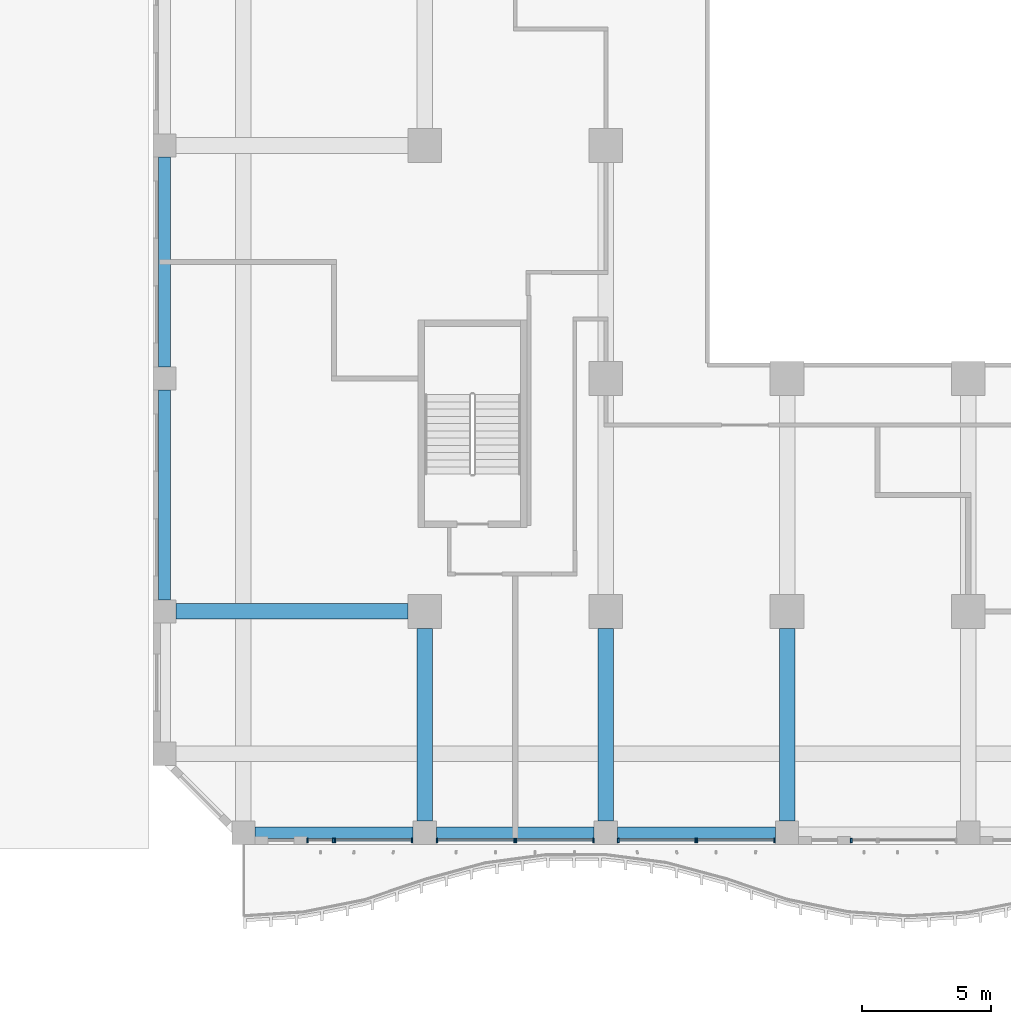
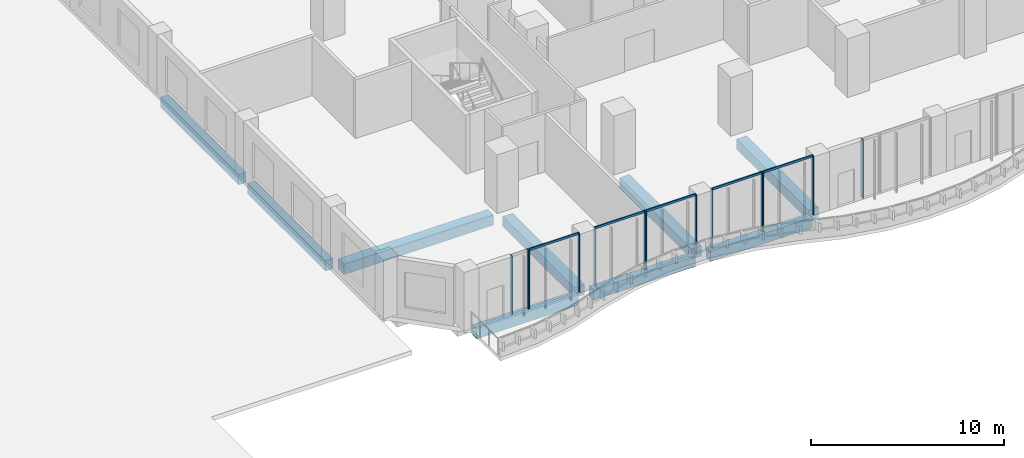
# One storey, part 2 of 29: 18 members, 9 beams, 7 elements without a shape of their own.
"""IFC4 building model written with IfcOpenShell, lengths in metres."""

from ifc_helpers import new_model, si_unit, direction, frame, origin, origin_2d, place, context, subcontext, project, spatial, rectangle, extrude, source, transform, mapped, material, material_profile, profile_set, type_object, element, aggregate, save


model = new_model("IFC4")

# Units and contexts
model_context = context("Model", 3, precision=1e-05, world=origin(), true_north=direction((0.0, 1.0)))
body_context = subcontext(model_context, "Body", "Model", "MODEL_VIEW")
ifc_project = project(units=[si_unit("LENGTHUNIT", "METRE"), si_unit("AREAUNIT", "SQUARE_METRE"), si_unit("VOLUMEUNIT", "CUBIC_METRE"), si_unit("PLANEANGLEUNIT", "RADIAN"), si_unit("MASSUNIT", "GRAM", prefix="KILO")], contexts=[model_context])

# Site, building, storey
site_placement = place(None, origin())
site = spatial("IfcSite", under=ifc_project, at=site_placement, CompositionType="ELEMENT")
building_placement = place(site_placement, origin())
building = spatial("IfcBuilding", under=site, at=building_placement, Name="Kilnfold Tower and Market Hall", CompositionType="ELEMENT")
storey_placement = place(building_placement, frame((0.0, 0.0, 27.0)))
storey = spatial("IfcBuildingStorey", under=building, at=storey_placement, Name="L05", CompositionType="ELEMENT", Elevation=27.0)

# Beams
ifc_material_1 = material(Name="Concrete C45", Category="concrete")
ifc_material_profile_1 = material_profile(ifc_material_1, rectangle(XDim=0.449951171875, YDim=0.64990234375, at=origin_2d()), Name="RC 450x650")
ifc_profile_set_1 = profile_set([ifc_material_profile_1], Name="Concrete C45")
beam_type_1 = type_object("IfcBeamType", Name="EDGE BEAM 450X650 C45", PredefinedType="BEAM", material=ifc_profile_set_1)
shared_shape_1 = source(origin(), body_context, "Body", "SweptSolid", [
    extrude(rectangle(XDim=0.449951171875, YDim=0.64990234375, at=origin_2d()), origin(), (0.0, 0.0, 1.0), 6.10009765625),
])
for number, where, z_axis, x_axis, name in (
    (1, (-24.050048828125, -27.550048828125, -0.60498046875), (1.0, 0.0, 0.0), (0.0, 1.0, 0.0), "Beam EB650-B1.1"),
    (2, (-17.050048828125, -27.550048828125, -0.60498046875), (1.0, 0.0, 0.0), (0.0, 1.0, 0.0), "Beam EB650-B1.54"),
    (3, (-10.050048828125, -27.550048828125, -0.60498046875), (1.0, 0.0, 0.0), (0.0, 1.0, 0.0), "Beam EB650-B1.2"),
):
    element("IfcBeam", number, at=place(storey_placement, frame(where, z_axis=z_axis, x_axis=x_axis)), inside=storey, type_object=beam_type_1, Name=name, PredefinedType="BEAM", context=body_context, shape_type="MappedRepresentation", body=[
        mapped(shared_shape_1, transform((0.0, 0.0, 0.0))),
    ])
ifc_material_2 = material(Name="Concrete C45", Category="concrete")
ifc_material_profile_2 = material_profile(ifc_material_2, rectangle(XDim=0.60009765625, YDim=0.64990234375, at=origin_2d()), Name="RC 600x650")
ifc_profile_set_2 = profile_set([ifc_material_profile_2], Name="Concrete C45")
beam_type_2 = type_object("IfcBeamType", Name="BEAM 600X650 C45", PredefinedType="BEAM", material=ifc_profile_set_2)
shared_shape_2 = source(origin(), body_context, "Body", "SweptSolid", [
    extrude(rectangle(XDim=0.60009765625, YDim=0.64990234375, at=origin_2d()), origin(), (0.0, 0.0, 1.0), 8.9501953125),
])
beam_placement = place(storey_placement, frame((-27.10009765625, -19.0, -0.60498046875), z_axis=(1.0, 0.0, 0.0), x_axis=(0.0, 1.0, 0.0)))
element("IfcBeam", 4, at=beam_placement, inside=storey, type_object=beam_type_2, Name="Beam BB650-B1.7", PredefinedType="BEAM", context=body_context, shape_type="MappedRepresentation", body=[
    mapped(shared_shape_2, transform((0.0, 0.0, 0.0))),
])
shared_shape_3 = source(origin(), body_context, "Body", "SweptSolid", [
    extrude(rectangle(XDim=0.449951171875, YDim=0.64990234375, at=origin_2d()), origin(), (0.0, 0.0, 1.0), 8.10009765625),
])
for number, where, z_axis, x_axis, name in (
    (5, (-27.550048828125, -18.550048828125, -0.60498046875), (0.0, 1.0, 0.0), (-1.0, 0.0, 0.0), "Beam EB650-B1.31"),
    (6, (-27.550048828125, -9.550048828125, -0.60498046875), (0.0, 1.0, 0.0), (-1.0, 0.0, 0.0), "Beam EB650-B1.32"),
):
    element("IfcBeam", number, at=place(storey_placement, frame(where, z_axis=z_axis, x_axis=x_axis)), inside=storey, type_object=beam_type_1, Name=name, PredefinedType="BEAM", context=body_context, shape_type="MappedRepresentation", body=[
        mapped(shared_shape_3, transform((0.0, 0.0, 0.0))),
    ])
shared_shape_4 = source(origin(), body_context, "Body", "SweptSolid", [
    extrude(rectangle(XDim=0.60009765625, YDim=0.64990234375, at=origin_2d()), origin(), (0.0, 0.0, 1.0), 7.4501953125),
])
for number, where, z_axis, x_axis, name in (
    (7, (-17.5, -27.10009765625, -0.60498046875), (0.0, 1.0, 0.0), (-1.0, 0.0, 0.0), "Beam BB650-B1.36"),
    (8, (-10.5, -27.10009765625, -0.60498046875), (0.0, 1.0, 0.0), (-1.0, 0.0, 0.0), "Beam BB650-B1.40"),
    (9, (-3.5, -27.10009765625, -0.60498046875), (0.0, 1.0, 0.0), (-1.0, 0.0, 0.0), "Beam BB650-B1.43"),
):
    element("IfcBeam", number, at=place(storey_placement, frame(where, z_axis=z_axis, x_axis=x_axis)), inside=storey, type_object=beam_type_2, Name=name, PredefinedType="BEAM", context=body_context, shape_type="MappedRepresentation", body=[
        mapped(shared_shape_4, transform((0.0, 0.0, 0.0))),
    ])

# Curtain wall, members
ifc_material_3 = material(Name="Aluminium and double glazing", Category="aluminium")
curtain_wall_type = type_object("IfcCurtainWallType", Name="CW OF1 VALLEY GLAZING", PredefinedType="NOTDEFINED", material=ifc_material_3)
curtain_wall_1_placement = place(storey_placement, origin())
curtain_wall_1 = element("IfcCurtainWall", 10, at=curtain_wall_1_placement, inside=storey, type_object=curtain_wall_type, Name="Curtain wall CW1 L05 S", PredefinedType="NOTDEFINED")
ifc_material_4 = material(Name="Aluminium", Category="aluminium")
ifc_material_profile_3 = material_profile(ifc_material_4, rectangle(XDim=0.06005859375, YDim=0.179931640625, at=origin_2d()), Name="MULLION 60x180")
ifc_profile_set_3 = profile_set([ifc_material_profile_3], Name="Aluminium")
member_type_1 = type_object("IfcMemberType", Name="MULLION 60X180", PredefinedType="MULLION", material=ifc_profile_set_3)
shared_shape_5 = source(origin(), body_context, "Body", "SweptSolid", [
    extrude(rectangle(XDim=0.06005859375, YDim=0.179931640625, at=origin_2d()), origin(), (0.0, 0.0, 1.0), 3.719970703125),
])
member_1_placement = place(storey_placement, frame((-22.02001953125, -27.85009765625, 0.0), z_axis=(0.0, 0.0, 1.0), x_axis=(1.0, 0.0, 0.0)))
member_1 = element("IfcMember", 11, at=member_1_placement, type_object=member_type_1, Name="CW1 mullion 1", PredefinedType="MULLION", context=body_context, shape_type="MappedRepresentation", body=[
    mapped(shared_shape_5, transform((0.0, 0.0, 0.0))),
])
member_2_placement = place(storey_placement, frame((-21.030029296875, -27.85009765625, 0.0), z_axis=(0.0, 0.0, 1.0), x_axis=(1.0, 0.0, 0.0)))
member_2 = element("IfcMember", 12, at=member_2_placement, type_object=member_type_1, Name="CW1 mullion 2", PredefinedType="MULLION", context=body_context, shape_type="MappedRepresentation", body=[
    mapped(shared_shape_5, transform((0.0, 0.0, 0.0))),
])
aggregate(curtain_wall_1, [member_1, member_2])

curtain_wall_2_placement = place(storey_placement, origin())
curtain_wall_2 = element("IfcCurtainWall", 13, at=curtain_wall_2_placement, inside=storey, type_object=curtain_wall_type, Name="Curtain wall CW1 L05 S", PredefinedType="NOTDEFINED")
member_3_placement = place(storey_placement, frame((-20.969970703125, -27.85009765625, 0.0), z_axis=(0.0, 0.0, 1.0), x_axis=(1.0, 0.0, 0.0)))
member_3 = element("IfcMember", 14, at=member_3_placement, type_object=member_type_1, Name="CW1 mullion 1", PredefinedType="MULLION", context=body_context, shape_type="MappedRepresentation", body=[
    mapped(shared_shape_5, transform((0.0, 0.0, 0.0))),
])
member_4_placement = place(storey_placement, frame((-17.97998046875, -27.85009765625, 0.0), z_axis=(0.0, 0.0, 1.0), x_axis=(1.0, 0.0, 0.0)))
member_4 = element("IfcMember", 15, at=member_4_placement, type_object=member_type_1, Name="CW1 mullion 2", PredefinedType="MULLION", context=body_context, shape_type="MappedRepresentation", body=[
    mapped(shared_shape_5, transform((0.0, 0.0, 0.0))),
])

curtain_wall_3_placement = place(storey_placement, origin())
curtain_wall_3 = element("IfcCurtainWall", 16, at=curtain_wall_3_placement, inside=storey, type_object=curtain_wall_type, Name="Curtain wall CW1 L05 S", PredefinedType="NOTDEFINED")
member_5_placement = place(storey_placement, frame((-17.02001953125, -27.85009765625, 0.0), z_axis=(0.0, 0.0, 1.0), x_axis=(1.0, 0.0, 0.0)))
member_5 = element("IfcMember", 17, at=member_5_placement, type_object=member_type_1, Name="CW1 mullion 1", PredefinedType="MULLION", context=body_context, shape_type="MappedRepresentation", body=[
    mapped(shared_shape_5, transform((0.0, 0.0, 0.0))),
])
member_6_placement = place(storey_placement, frame((-14.030029296875, -27.85009765625, 0.0), z_axis=(0.0, 0.0, 1.0), x_axis=(1.0, 0.0, 0.0)))
member_6 = element("IfcMember", 18, at=member_6_placement, type_object=member_type_1, Name="CW1 mullion 2", PredefinedType="MULLION", context=body_context, shape_type="MappedRepresentation", body=[
    mapped(shared_shape_5, transform((0.0, 0.0, 0.0))),
])

curtain_wall_4_placement = place(storey_placement, origin())
curtain_wall_4 = element("IfcCurtainWall", 19, at=curtain_wall_4_placement, inside=storey, type_object=curtain_wall_type, Name="Curtain wall CW1 L05 S", PredefinedType="NOTDEFINED")
member_7_placement = place(storey_placement, frame((-13.969970703125, -27.85009765625, 0.0), z_axis=(0.0, 0.0, 1.0), x_axis=(1.0, 0.0, 0.0)))
member_7 = element("IfcMember", 20, at=member_7_placement, type_object=member_type_1, Name="CW1 mullion 1", PredefinedType="MULLION", context=body_context, shape_type="MappedRepresentation", body=[
    mapped(shared_shape_5, transform((0.0, 0.0, 0.0))),
])
member_8_placement = place(storey_placement, frame((-10.97998046875, -27.85009765625, 0.0), z_axis=(0.0, 0.0, 1.0), x_axis=(1.0, 0.0, 0.0)))
member_8 = element("IfcMember", 21, at=member_8_placement, type_object=member_type_1, Name="CW1 mullion 2", PredefinedType="MULLION", context=body_context, shape_type="MappedRepresentation", body=[
    mapped(shared_shape_5, transform((0.0, 0.0, 0.0))),
])

curtain_wall_5_placement = place(storey_placement, origin())
curtain_wall_5 = element("IfcCurtainWall", 22, at=curtain_wall_5_placement, inside=storey, type_object=curtain_wall_type, Name="Curtain wall CW1 L05 S", PredefinedType="NOTDEFINED")
member_9_placement = place(storey_placement, frame((-10.02001953125, -27.85009765625, 0.0), z_axis=(0.0, 0.0, 1.0), x_axis=(1.0, 0.0, 0.0)))
member_9 = element("IfcMember", 23, at=member_9_placement, type_object=member_type_1, Name="CW1 mullion 1", PredefinedType="MULLION", context=body_context, shape_type="MappedRepresentation", body=[
    mapped(shared_shape_5, transform((0.0, 0.0, 0.0))),
])
member_10_placement = place(storey_placement, frame((-7.030029296875, -27.85009765625, 0.0), z_axis=(0.0, 0.0, 1.0), x_axis=(1.0, 0.0, 0.0)))
member_10 = element("IfcMember", 24, at=member_10_placement, type_object=member_type_1, Name="CW1 mullion 2", PredefinedType="MULLION", context=body_context, shape_type="MappedRepresentation", body=[
    mapped(shared_shape_5, transform((0.0, 0.0, 0.0))),
])

curtain_wall_6_placement = place(storey_placement, origin())
curtain_wall_6 = element("IfcCurtainWall", 25, at=curtain_wall_6_placement, inside=storey, type_object=curtain_wall_type, Name="Curtain wall CW1 L05 S", PredefinedType="NOTDEFINED")
member_11_placement = place(storey_placement, frame((-6.969970703125, -27.85009765625, 0.0), z_axis=(0.0, 0.0, 1.0), x_axis=(1.0, 0.0, 0.0)))
member_11 = element("IfcMember", 26, at=member_11_placement, type_object=member_type_1, Name="CW1 mullion 1", PredefinedType="MULLION", context=body_context, shape_type="MappedRepresentation", body=[
    mapped(shared_shape_5, transform((0.0, 0.0, 0.0))),
])
member_12_placement = place(storey_placement, frame((-3.97998046875, -27.85009765625, 0.0), z_axis=(0.0, 0.0, 1.0), x_axis=(1.0, 0.0, 0.0)))
member_12 = element("IfcMember", 27, at=member_12_placement, type_object=member_type_1, Name="CW1 mullion 2", PredefinedType="MULLION", context=body_context, shape_type="MappedRepresentation", body=[
    mapped(shared_shape_5, transform((0.0, 0.0, 0.0))),
])

# Curtain wall, member
curtain_wall_7_placement = place(storey_placement, origin())
curtain_wall_7 = element("IfcCurtainWall", 28, at=curtain_wall_7_placement, inside=storey, type_object=curtain_wall_type, Name="Curtain wall CW1 L05 S", PredefinedType="NOTDEFINED")
member_13_placement = place(storey_placement, frame((-1.02001953125, -27.85009765625, 0.0), z_axis=(0.0, 0.0, 1.0), x_axis=(1.0, 0.0, 0.0)))
member_13 = element("IfcMember", 29, at=member_13_placement, type_object=member_type_1, Name="CW1 mullion 1", PredefinedType="MULLION", context=body_context, shape_type="MappedRepresentation", body=[
    mapped(shared_shape_5, transform((0.0, 0.0, 0.0))),
])
aggregate(curtain_wall_7, [member_13])

# Member
ifc_material_5 = material(Name="Aluminium", Category="aluminium")
ifc_material_profile_4 = material_profile(ifc_material_5, rectangle(XDim=0.06005859375, YDim=0.139892578125, at=origin_2d()), Name="TRANSOM 60x140")
ifc_profile_set_4 = profile_set([ifc_material_profile_4], Name="Aluminium")
member_type_2 = type_object("IfcMemberType", Name="TRANSOM 60X140", PredefinedType="USERDEFINED", material=ifc_profile_set_4)
shared_shape_6 = source(origin(), body_context, "Body", "SweptSolid", [
    extrude(rectangle(XDim=0.06005859375, YDim=0.139892578125, at=origin_2d()), origin(), (0.0, 0.0, 1.0), 2.929931640625),
])
member_14_placement = place(storey_placement, frame((-20.93994140625, -27.85009765625, 3.68994140625), z_axis=(1.0, 0.0, 0.0), x_axis=(0.0, 1.0, 0.0)))
member_14 = element("IfcMember", 30, at=member_14_placement, type_object=member_type_2, Name="CW1 transom 1.2", ObjectType="TRANSOM", PredefinedType="USERDEFINED", context=body_context, shape_type="MappedRepresentation", body=[
    mapped(shared_shape_6, transform((0.0, 0.0, 0.0))),
])

aggregate(curtain_wall_2, [member_3, member_4, member_14])

member_15_placement = place(storey_placement, frame((-16.989990234375, -27.85009765625, 3.68994140625), z_axis=(1.0, 0.0, 0.0), x_axis=(0.0, 1.0, 0.0)))
member_15 = element("IfcMember", 31, at=member_15_placement, type_object=member_type_2, Name="CW1 transom 1.2", ObjectType="TRANSOM", PredefinedType="USERDEFINED", context=body_context, shape_type="MappedRepresentation", body=[
    mapped(shared_shape_6, transform((0.0, 0.0, 0.0))),
])

aggregate(curtain_wall_3, [member_5, member_6, member_15])

member_16_placement = place(storey_placement, frame((-13.93994140625, -27.85009765625, 3.68994140625), z_axis=(1.0, 0.0, 0.0), x_axis=(0.0, 1.0, 0.0)))
member_16 = element("IfcMember", 32, at=member_16_placement, type_object=member_type_2, Name="CW1 transom 1.2", ObjectType="TRANSOM", PredefinedType="USERDEFINED", context=body_context, shape_type="MappedRepresentation", body=[
    mapped(shared_shape_6, transform((0.0, 0.0, 0.0))),
])

aggregate(curtain_wall_4, [member_7, member_8, member_16])

member_17_placement = place(storey_placement, frame((-9.989990234375, -27.85009765625, 3.68994140625), z_axis=(1.0, 0.0, 0.0), x_axis=(0.0, 1.0, 0.0)))
member_17 = element("IfcMember", 33, at=member_17_placement, type_object=member_type_2, Name="CW1 transom 1.2", ObjectType="TRANSOM", PredefinedType="USERDEFINED", context=body_context, shape_type="MappedRepresentation", body=[
    mapped(shared_shape_6, transform((0.0, 0.0, 0.0))),
])

aggregate(curtain_wall_5, [member_9, member_10, member_17])

member_18_placement = place(storey_placement, frame((-6.93994140625, -27.85009765625, 3.68994140625), z_axis=(1.0, 0.0, 0.0), x_axis=(0.0, 1.0, 0.0)))
member_18 = element("IfcMember", 34, at=member_18_placement, type_object=member_type_2, Name="CW1 transom 1.2", ObjectType="TRANSOM", PredefinedType="USERDEFINED", context=body_context, shape_type="MappedRepresentation", body=[
    mapped(shared_shape_6, transform((0.0, 0.0, 0.0))),
])

aggregate(curtain_wall_6, [member_11, member_12, member_18])

save(model, "model.ifc")
